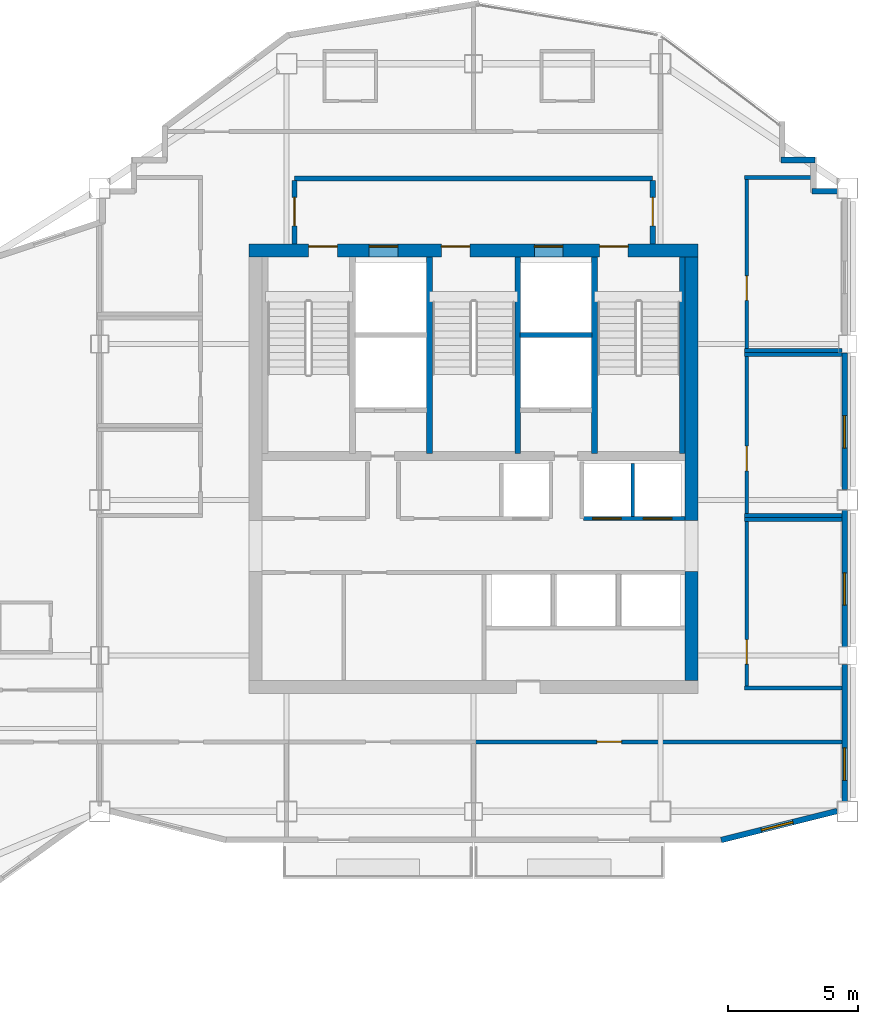
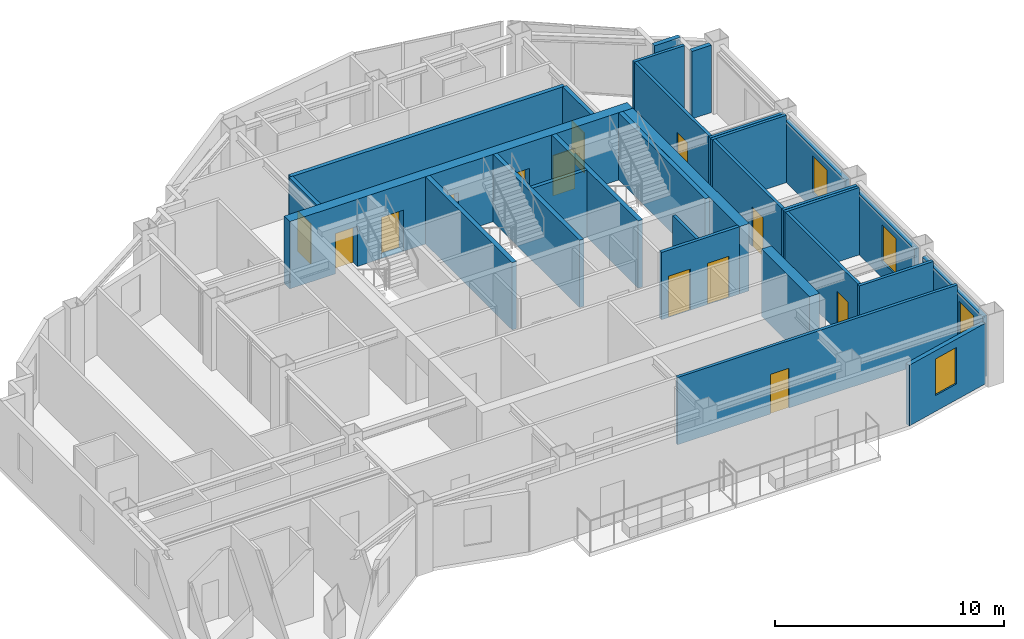
# One storey, part 7 of 9: 29 walls, 13 doors, 4 windows, 17 openings.
"""IFC4 building model written with IfcOpenShell, lengths in metres."""

from ifc_helpers import new_model, si_unit, direction, frame, frame_2d, origin, place, context, subcontext, project, spatial, rectangle, extrude, material, layer, layer_set, type_object, element, fill, save


model = new_model("IFC4")

# Units and contexts
model_context = context("Model", 3, precision=1e-05, world=origin(), true_north=direction((0.0, 1.0)))
body_context = subcontext(model_context, "Body", "Model", "MODEL_VIEW")
ifc_project = project(units=[si_unit("LENGTHUNIT", "METRE"), si_unit("AREAUNIT", "SQUARE_METRE"), si_unit("VOLUMEUNIT", "CUBIC_METRE"), si_unit("PLANEANGLEUNIT", "RADIAN"), si_unit("MASSUNIT", "GRAM", prefix="KILO")], contexts=[model_context])

# Site, building, storey
site_placement = place(None, origin())
site = spatial("IfcSite", under=ifc_project, at=site_placement, CompositionType="ELEMENT")
building_placement = place(site_placement, origin())
building = spatial("IfcBuilding", under=site, at=building_placement, Name="Haolan Belvedere Tower", CompositionType="ELEMENT")
storey_placement = place(building_placement, frame((0.0, 0.0, 273.699951171875)))
storey = spatial("IfcBuildingStorey", under=building, at=storey_placement, Name="L69", CompositionType="ELEMENT", Elevation=273.699951171875)

# Wall, openings, doors
ifc_material_1 = material(Name="Concrete C50/60", Category="concrete")
ifc_layer_1 = layer(ifc_material_1, 0.5, Name="Concrete C50/60")
ifc_layer_set_1 = layer_set([ifc_layer_1], Name="Concrete C50/60")
wall_type_1 = type_object("IfcWallType", Name="WL-CORE-500", PredefinedType="SHEAR", material=ifc_layer_set_1)
wall_1_placement = place(storey_placement, frame((29.75, 43.199951171875, 0.0), z_axis=(0.0, 0.0, 1.0), x_axis=(1.0, 0.0, 0.0)))
wall_1 = element("IfcWall", 1, at=wall_1_placement, inside=storey, type_object=wall_type_1, Name="L69 central core north shear wall", PredefinedType="SHEAR", context=body_context, shape_type="SweptSolid", body=[
    extrude(rectangle(XDim=17.300048828125, YDim=0.5, at=frame_2d((8.64990234375, 0.0))), origin(), (0.0, 0.0, 1.0), 3.590087890625),
])
opening_1_placement = place(wall_1_placement, frame((2.300048828125, 0.0, 0.0)))
opening_1 = element("IfcOpeningElement", 2, at=opening_1_placement, cuts=wall_1, Name="Opening FD-03", PredefinedType="OPENING", context=body_context, shape_type="SweptSolid", body=[
    extrude(rectangle(XDim=1.10009765625, YDim=2.14990234375, at=frame_2d((0.550048828125, 1.074951171875))), frame((0.0, 0.260009765625, 0.0), z_axis=(0.0, -1.0, 0.0), x_axis=(1.0, 0.0, 0.0)), (0.0, 0.0, 1.0), 0.52001953125),
])
opening_2_placement = place(wall_1_placement, frame((7.409912109375, 0.0, 0.0)))
opening_2 = element("IfcOpeningElement", 3, at=opening_2_placement, cuts=wall_1, Name="Opening FD-03", PredefinedType="OPENING", context=body_context, shape_type="SweptSolid", body=[
    extrude(rectangle(XDim=1.10009765625, YDim=2.14990234375, at=frame_2d((0.550048828125, 1.074951171875))), frame((0.0, 0.260009765625, 0.0), z_axis=(0.0, -1.0, 0.0), x_axis=(1.0, 0.0, 0.0)), (0.0, 0.0, 1.0), 0.52001953125),
])
opening_3_placement = place(wall_1_placement, frame((13.5, 0.0, 0.0)))
opening_3 = element("IfcOpeningElement", 4, at=opening_3_placement, cuts=wall_1, Name="Opening FD-03", PredefinedType="OPENING", context=body_context, shape_type="SweptSolid", body=[
    extrude(rectangle(XDim=1.10009765625, YDim=2.14990234375, at=frame_2d((0.550048828125, 1.074951171875))), frame((0.0, 0.260009765625, 0.0), z_axis=(0.0, -1.0, 0.0), x_axis=(1.0, 0.0, 0.0)), (0.0, 0.0, 1.0), 0.52001953125),
])
opening_4_placement = place(wall_1_placement, frame((4.6298828125, 0.0, 0.0)))
opening_4 = element("IfcOpeningElement", 5, at=opening_4_placement, cuts=wall_1, Name="Opening LD-01", PredefinedType="OPENING", context=body_context, shape_type="SweptSolid", body=[
    extrude(rectangle(XDim=1.10009765625, YDim=2.199951171875, at=frame_2d((0.550048828125, 1.10009765625))), frame((0.0, 0.260009765625, 0.0), z_axis=(0.0, -1.0, 0.0), x_axis=(1.0, 0.0, 0.0)), (0.0, 0.0, 1.0), 0.52001953125),
])
opening_5_placement = place(wall_1_placement, frame((10.989990234375, 0.0, 0.0)))
opening_5 = element("IfcOpeningElement", 6, at=opening_5_placement, cuts=wall_1, Name="Opening LD-01", PredefinedType="OPENING", context=body_context, shape_type="SweptSolid", body=[
    extrude(rectangle(XDim=1.10009765625, YDim=2.199951171875, at=frame_2d((0.550048828125, 1.10009765625))), frame((0.0, 0.260009765625, 0.0), z_axis=(0.0, -1.0, 0.0), x_axis=(1.0, 0.0, 0.0)), (0.0, 0.0, 1.0), 0.52001953125),
])
ifc_material_2 = material(Name="Galvanised fire-rated steel", Category="steel")
door_type_1 = type_object("IfcDoorType", Name="DR-FD90-1100", OperationType="NOTDEFINED", PredefinedType="DOOR", material=ifc_material_2)
door_1_placement = place(opening_1_placement, origin())
door_1 = element("IfcDoor", 7, at=door_1_placement, inside=storey, type_object=door_type_1, Name="L69 door CD-L69-ST1", OperationType="SINGLE_SWING_LEFT", OverallHeight=2.14990234375, OverallWidth=1.10009765625, PredefinedType="DOOR", context=body_context, shape_type="SweptSolid", body=[
    extrude(rectangle(XDim=1.10009765625, YDim=2.14990234375, at=frame_2d((0.550048828125, 1.074951171875))), frame((0.0, 0.18505859375, 0.0), z_axis=(0.0, -1.0, 0.0), x_axis=(1.0, 0.0, 0.0)), (0.0, 0.0, 1.0), 0.050048828125),
])
fill(opening_1, door_1)
door_2_placement = place(opening_2_placement, origin())
door_2 = element("IfcDoor", 8, at=door_2_placement, inside=storey, type_object=door_type_1, Name="L69 door CD-L69-ST3", OperationType="SINGLE_SWING_LEFT", OverallHeight=2.14990234375, OverallWidth=1.10009765625, PredefinedType="DOOR", context=body_context, shape_type="SweptSolid", body=[
    extrude(rectangle(XDim=1.10009765625, YDim=2.14990234375, at=frame_2d((0.550048828125, 1.074951171875))), frame((0.0, 0.18505859375, 0.0), z_axis=(0.0, -1.0, 0.0), x_axis=(1.0, 0.0, 0.0)), (0.0, 0.0, 1.0), 0.050048828125),
])
fill(opening_2, door_2)
door_3_placement = place(opening_3_placement, origin())
door_3 = element("IfcDoor", 9, at=door_3_placement, inside=storey, type_object=door_type_1, Name="L69 door CD-L69-ST2", OperationType="SINGLE_SWING_RIGHT", OverallHeight=2.14990234375, OverallWidth=1.10009765625, PredefinedType="DOOR", context=body_context, shape_type="SweptSolid", body=[
    extrude(rectangle(XDim=1.10009765625, YDim=2.14990234375, at=frame_2d((0.550048828125, 1.074951171875))), frame((0.0, 0.18505859375, 0.0), z_axis=(0.0, -1.0, 0.0), x_axis=(1.0, 0.0, 0.0)), (0.0, 0.0, 1.0), 0.050048828125),
])
fill(opening_3, door_3)
ifc_material_3 = material(Name="Brushed champagne stainless steel 316L", Category="steel")
door_type_2 = type_object("IfcDoorType", Name="DR-LIFT-1100", OperationType="SLIDING_TO_LEFT", PredefinedType="DOOR", material=ifc_material_3)
door_4_placement = place(opening_4_placement, origin())
door_4 = element("IfcDoor", 10, at=door_4_placement, inside=storey, type_object=door_type_2, Name="L69 door LD-L69-FF1", OperationType="SLIDING_TO_LEFT", OverallHeight=2.199951171875, OverallWidth=1.10009765625, PredefinedType="DOOR", context=body_context, shape_type="SweptSolid", body=[
    extrude(rectangle(XDim=1.10009765625, YDim=2.199951171875, at=frame_2d((0.550048828125, 1.10009765625))), frame((0.0, 0.18505859375, 0.0), z_axis=(0.0, -1.0, 0.0), x_axis=(1.0, 0.0, 0.0)), (0.0, 0.0, 1.0), 0.050048828125),
])
fill(opening_4, door_4)
door_5_placement = place(opening_5_placement, origin())
door_5 = element("IfcDoor", 11, at=door_5_placement, inside=storey, type_object=door_type_2, Name="L69 door LD-L69-FF2", OperationType="SLIDING_TO_LEFT", OverallHeight=2.199951171875, OverallWidth=1.10009765625, PredefinedType="DOOR", context=body_context, shape_type="SweptSolid", body=[
    extrude(rectangle(XDim=1.10009765625, YDim=2.199951171875, at=frame_2d((0.550048828125, 1.10009765625))), frame((0.0, 0.18505859375, 0.0), z_axis=(0.0, -1.0, 0.0), x_axis=(1.0, 0.0, 0.0)), (0.0, 0.0, 1.0), 0.050048828125),
])
fill(opening_5, door_5)

# Walls
wall_2_placement = place(storey_placement, frame((46.800048828125, 26.64990234375, 0.0), z_axis=(0.0, 0.0, 1.0), x_axis=(0.0, 1.0, 0.0)))
element("IfcWall", 12, at=wall_2_placement, inside=storey, type_object=wall_type_1, Name="L69 central core shear wall ES", PredefinedType="SHEAR", context=body_context, shape_type="SweptSolid", body=[
    extrude(rectangle(XDim=4.2001953125, YDim=0.5, at=frame_2d((2.10009765625, 0.0))), origin(), (0.0, 0.0, 1.0), 3.590087890625),
])
wall_3_placement = place(storey_placement, frame((46.800048828125, 32.800048828125, 0.0), z_axis=(0.0, 0.0, 1.0), x_axis=(0.0, 1.0, 0.0)))
element("IfcWall", 13, at=wall_3_placement, inside=storey, type_object=wall_type_1, Name="L69 central core shear wall EN", PredefinedType="SHEAR", context=body_context, shape_type="SweptSolid", body=[
    extrude(rectangle(XDim=10.14990234375, YDim=0.5, at=frame_2d((5.074951171875, 0.0))), origin(), (0.0, 0.0, 1.0), 3.590087890625),
])

# Wall, opening, window
ifc_material_4 = material(Name="Precast concrete C40/50", Category="concrete")
ifc_layer_2 = layer(ifc_material_4, 0.219970703125, Name="Precast concrete C40/50")
ifc_layer_set_2 = layer_set([ifc_layer_2], Name="Precast concrete C40/50")
wall_type_2 = type_object("IfcWallType", Name="WL-EXT-220", PredefinedType="SOLIDWALL", material=ifc_layer_set_2)
wall_4_placement = place(storey_placement, frame((47.93310546875, 20.49658203125, 0.0), z_axis=(0.0, 0.0, 1.0), x_axis=(0.970133159038, 0.242572986408, 0.0)))
wall_4 = element("IfcWall", 14, at=wall_4_placement, inside=storey, type_object=wall_type_2, Name="L69 pale-metal exterior spandrel wall 2.1", PredefinedType="SOLIDWALL", context=body_context, shape_type="SweptSolid", body=[
    extrude(rectangle(XDim=4.612548828125, YDim=0.219970703125, at=frame_2d((2.30615234375, 0.0))), origin(), (0.0, 0.0, 1.0), 3.235107421875),
])
opening_6_placement = place(wall_4_placement, frame((1.60009765625, 0.0, 0.85009765625)))
opening_6 = element("IfcOpeningElement", 15, at=opening_6_placement, cuts=wall_4, Name="Opening W-04", PredefinedType="OPENING", context=body_context, shape_type="SweptSolid", body=[
    extrude(rectangle(XDim=1.25, YDim=1.949951171875, at=frame_2d((0.625, 0.97509765625))), frame((0.0, 0.119873046875, 0.0), z_axis=(0.0, -1.0, 0.0), x_axis=(1.0, 0.0, 0.0)), (0.0, 0.0, 1.0), 0.239990234375),
])
ifc_material_5 = material(Name="Anodised aluminium 6063-T6 and Low-E glass", Category="aluminium")
window_type = type_object("IfcWindowType", Name="WN-DECO-Z4", PartitioningType="SINGLE_PANEL", PredefinedType="WINDOW", material=ifc_material_5)
window_1_placement = place(opening_6_placement, origin())
window_1 = element("IfcWindow", 16, at=window_1_placement, inside=storey, type_object=window_type, Name="L69 Art Deco chevron window 1", OverallHeight=1.949951171875, OverallWidth=1.25, PartitioningType="SINGLE_PANEL", PredefinedType="WINDOW", context=body_context, shape_type="SweptSolid", body=[
    extrude(rectangle(XDim=1.25, YDim=1.949951171875, at=frame_2d((0.625, 0.97509765625))), frame((0.0, 0.030029296875, 0.0), z_axis=(0.0, -1.0, 0.0), x_axis=(1.0, 0.0, 0.0)), (0.0, 0.0, 1.0), 0.06005859375),
])
fill(opening_6, window_1)

wall_5_placement = place(storey_placement, frame((52.68994140625, 21.991943359375, 0.0), z_axis=(0.0, 0.0, 1.0), x_axis=(0.0, 1.0, 0.0)))
wall_5 = element("IfcWall", 17, at=wall_5_placement, inside=storey, type_object=wall_type_2, Name="L69 pale-metal exterior spandrel wall 3.1", PredefinedType="SOLIDWALL", context=body_context, shape_type="SweptSolid", body=[
    extrude(rectangle(XDim=5.26611328125, YDim=0.219970703125, at=frame_2d((2.633056640625, 0.0))), origin(), (0.0, 0.0, 1.0), 3.235107421875),
])
opening_7_placement = place(wall_5_placement, frame((0.802978515625, 0.0, 0.85009765625)))
opening_7 = element("IfcOpeningElement", 18, at=opening_7_placement, cuts=wall_5, Name="Opening W-04", PredefinedType="OPENING", context=body_context, shape_type="SweptSolid", body=[
    extrude(rectangle(XDim=1.25, YDim=1.949951171875, at=frame_2d((0.625, 0.97509765625))), frame((0.0, 0.119873046875, 0.0), z_axis=(0.0, -1.0, 0.0), x_axis=(1.0, 0.0, 0.0)), (0.0, 0.0, 1.0), 0.239990234375),
])
window_2_placement = place(opening_7_placement, origin())
window_2 = element("IfcWindow", 19, at=window_2_placement, inside=storey, type_object=window_type, Name="L69 Art Deco chevron window 1", OverallHeight=1.949951171875, OverallWidth=1.25, PartitioningType="SINGLE_PANEL", PredefinedType="WINDOW", context=body_context, shape_type="SweptSolid", body=[
    extrude(rectangle(XDim=1.25, YDim=1.949951171875, at=frame_2d((0.625, 0.97509765625))), frame((0.0, 0.030029296875, 0.0), z_axis=(0.0, -1.0, 0.0), x_axis=(1.0, 0.0, 0.0)), (0.0, 0.0, 1.0), 0.06005859375),
])
fill(opening_7, window_2)

wall_6_placement = place(storey_placement, frame((52.68994140625, 27.94189453125, 0.0), z_axis=(0.0, 0.0, 1.0), x_axis=(0.0, 1.0, 0.0)))
wall_6 = element("IfcWall", 20, at=wall_6_placement, inside=storey, type_object=wall_type_2, Name="L69 pale-metal exterior spandrel wall 3.2", PredefinedType="SOLIDWALL", context=body_context, shape_type="SweptSolid", body=[
    extrude(rectangle(XDim=5.26611328125, YDim=0.219970703125, at=frame_2d((2.633056640625, 0.0))), origin(), (0.0, 0.0, 1.0), 3.235107421875),
])
opening_8_placement = place(wall_6_placement, frame((1.60009765625, 0.0, 0.85009765625)))
opening_8 = element("IfcOpeningElement", 21, at=opening_8_placement, cuts=wall_6, Name="Opening W-04", PredefinedType="OPENING", context=body_context, shape_type="SweptSolid", body=[
    extrude(rectangle(XDim=1.25, YDim=1.949951171875, at=frame_2d((0.625, 0.97509765625))), frame((0.0, 0.119873046875, 0.0), z_axis=(0.0, -1.0, 0.0), x_axis=(1.0, 0.0, 0.0)), (0.0, 0.0, 1.0), 0.239990234375),
])
window_3_placement = place(opening_8_placement, origin())
window_3 = element("IfcWindow", 22, at=window_3_placement, inside=storey, type_object=window_type, Name="L69 Art Deco chevron window 1", OverallHeight=1.949951171875, OverallWidth=1.25, PartitioningType="SINGLE_PANEL", PredefinedType="WINDOW", context=body_context, shape_type="SweptSolid", body=[
    extrude(rectangle(XDim=1.25, YDim=1.949951171875, at=frame_2d((0.625, 0.97509765625))), frame((0.0, 0.030029296875, 0.0), z_axis=(0.0, -1.0, 0.0), x_axis=(1.0, 0.0, 0.0)), (0.0, 0.0, 1.0), 0.06005859375),
])
fill(opening_8, window_3)

wall_7_placement = place(storey_placement, frame((52.68994140625, 33.991943359375, 0.0), z_axis=(0.0, 0.0, 1.0), x_axis=(0.0, 1.0, 0.0)))
wall_7 = element("IfcWall", 23, at=wall_7_placement, inside=storey, type_object=wall_type_2, Name="L69 pale-metal exterior spandrel wall 3.3", PredefinedType="SOLIDWALL", context=body_context, shape_type="SweptSolid", body=[
    extrude(rectangle(XDim=5.26611328125, YDim=0.219970703125, at=frame_2d((2.633056640625, 0.0))), origin(), (0.0, 0.0, 1.0), 3.235107421875),
])
opening_9_placement = place(wall_7_placement, frame((1.60009765625, 0.0, 0.85009765625)))
opening_9 = element("IfcOpeningElement", 24, at=opening_9_placement, cuts=wall_7, Name="Opening W-04", PredefinedType="OPENING", context=body_context, shape_type="SweptSolid", body=[
    extrude(rectangle(XDim=1.25, YDim=1.949951171875, at=frame_2d((0.625, 0.97509765625))), frame((0.0, 0.119873046875, 0.0), z_axis=(0.0, -1.0, 0.0), x_axis=(1.0, 0.0, 0.0)), (0.0, 0.0, 1.0), 0.239990234375),
])
window_4_placement = place(opening_9_placement, origin())
window_4 = element("IfcWindow", 25, at=window_4_placement, inside=storey, type_object=window_type, Name="L69 Art Deco chevron window 1", OverallHeight=1.949951171875, OverallWidth=1.25, PartitioningType="SINGLE_PANEL", PredefinedType="WINDOW", context=body_context, shape_type="SweptSolid", body=[
    extrude(rectangle(XDim=1.25, YDim=1.949951171875, at=frame_2d((0.625, 0.97509765625))), frame((0.0, 0.030029296875, 0.0), z_axis=(0.0, -1.0, 0.0), x_axis=(1.0, 0.0, 0.0)), (0.0, 0.0, 1.0), 0.06005859375),
])
fill(opening_9, window_4)

# Walls
wall_8_placement = place(storey_placement, frame((52.407958984375, 45.489990234375, 0.0), z_axis=(0.0, 0.0, 1.0), x_axis=(-1.0, 0.0, 0.0)))
element("IfcWall", 26, at=wall_8_placement, inside=storey, type_object=wall_type_2, Name="L69 pale-metal exterior spandrel wall 4.1", PredefinedType="SOLIDWALL", context=body_context, shape_type="SweptSolid", body=[
    extrude(rectangle(XDim=0.972900390625, YDim=0.219970703125, at=frame_2d((0.486328125, 0.0))), origin(), (0.0, 0.0, 1.0), 3.590087890625),
])
wall_9_placement = place(storey_placement, frame((51.544921875, 46.68994140625, 0.0), z_axis=(0.0, 0.0, 1.0), x_axis=(-1.0, 0.0, 0.0)))
element("IfcWall", 27, at=wall_9_placement, inside=storey, type_object=wall_type_2, Name="L69 pale-metal exterior spandrel wall 6.1", PredefinedType="SOLIDWALL", context=body_context, shape_type="SweptSolid", body=[
    extrude(rectangle(XDim=1.309814453125, YDim=0.219970703125, at=frame_2d((0.65478515625, 0.0))), origin(), (0.0, 0.0, 1.0), 3.590087890625),
])
ifc_material_6 = material(Name="Concrete C40/50", Category="concrete")
ifc_layer_3 = layer(ifc_material_6, 0.199951171875, Name="Concrete C40/50")
ifc_layer_set_3 = layer_set([ifc_layer_3], Name="Concrete C40/50")
wall_type_3 = type_object("IfcWallType", Name="WL-FIRE-200", PredefinedType="SOLIDWALL", material=ifc_layer_set_3)
wall_10_placement = place(storey_placement, frame((31.5, 45.97998046875, 0.0), z_axis=(0.0, 0.0, 1.0), x_axis=(1.0, 0.0, 0.0)))
element("IfcWall", 28, at=wall_10_placement, inside=storey, type_object=wall_type_3, Name="L69 interior partition IW-L69-FFL-N", PredefinedType="SOLIDWALL", context=body_context, shape_type="SweptSolid", body=[
    extrude(rectangle(XDim=13.800048828125, YDim=0.199951171875, at=frame_2d((6.89990234375, 0.0))), origin(), (0.0, 0.0, 1.0), 3.590087890625),
])

# Wall, opening, door
wall_11_placement = place(storey_placement, frame((31.5, 43.449951171875, 0.0), z_axis=(0.0, 0.0, 1.0), x_axis=(0.0, 1.0, 0.0)))
wall_11 = element("IfcWall", 29, at=wall_11_placement, inside=storey, type_object=wall_type_3, Name="L69 interior partition IW-L69-FFL-W", PredefinedType="SOLIDWALL", context=body_context, shape_type="SweptSolid", body=[
    extrude(rectangle(XDim=2.445068359375, YDim=0.199951171875, at=frame_2d((1.22265625, 0.0))), origin(), (0.0, 0.0, 1.0), 3.590087890625),
])
opening_10_placement = place(wall_11_placement, frame((1.800048828125, 0.0, 0.0), z_axis=(0.0, 0.0, 1.0), x_axis=(-1.0, 0.0, 0.0)))
opening_10 = element("IfcOpeningElement", 30, at=opening_10_placement, cuts=wall_11, Name="Opening FD-03", PredefinedType="OPENING", context=body_context, shape_type="SweptSolid", body=[
    extrude(rectangle(XDim=1.10009765625, YDim=2.14990234375, at=frame_2d((0.550048828125, 1.074951171875))), frame((0.0, 0.10986328125, 0.0), z_axis=(0.0, -1.0, 0.0), x_axis=(1.0, 0.0, 0.0)), (0.0, 0.0, 1.0), 0.219970703125),
])
door_6_placement = place(opening_10_placement, origin())
door_6 = element("IfcDoor", 31, at=door_6_placement, inside=storey, type_object=door_type_1, Name="L69 door ID-L69-FFL-DW", OperationType="SINGLE_SWING_LEFT", OverallHeight=2.14990234375, OverallWidth=1.10009765625, PredefinedType="DOOR", context=body_context, shape_type="SweptSolid", body=[
    extrude(rectangle(XDim=1.10009765625, YDim=2.14990234375, at=frame_2d((0.550048828125, 1.074951171875))), frame((0.0, 0.02490234375, 0.0), z_axis=(0.0, -1.0, 0.0), x_axis=(1.0, 0.0, 0.0)), (0.0, 0.0, 1.0), 0.050048828125),
])
fill(opening_10, door_6)

wall_12_placement = place(storey_placement, frame((45.300048828125, 43.449951171875, 0.0), z_axis=(0.0, 0.0, 1.0), x_axis=(0.0, 1.0, 0.0)))
wall_12 = element("IfcWall", 32, at=wall_12_placement, inside=storey, type_object=wall_type_3, Name="L69 interior partition IW-L69-FFL-E", PredefinedType="SOLIDWALL", context=body_context, shape_type="SweptSolid", body=[
    extrude(rectangle(XDim=2.445068359375, YDim=0.199951171875, at=frame_2d((1.22265625, 0.0))), origin(), (0.0, 0.0, 1.0), 3.590087890625),
])
opening_11_placement = place(wall_12_placement, frame((0.699951171875, 0.0, 0.0)))
opening_11 = element("IfcOpeningElement", 33, at=opening_11_placement, cuts=wall_12, Name="Opening FD-03", PredefinedType="OPENING", context=body_context, shape_type="SweptSolid", body=[
    extrude(rectangle(XDim=1.10009765625, YDim=2.14990234375, at=frame_2d((0.550048828125, 1.074951171875))), frame((0.0, 0.10986328125, 0.0), z_axis=(0.0, -1.0, 0.0), x_axis=(1.0, 0.0, 0.0)), (0.0, 0.0, 1.0), 0.219970703125),
])
door_7_placement = place(opening_11_placement, origin())
door_7 = element("IfcDoor", 34, at=door_7_placement, inside=storey, type_object=door_type_1, Name="L69 door ID-L69-FFL-DE", OperationType="SINGLE_SWING_RIGHT", OverallHeight=2.14990234375, OverallWidth=1.10009765625, PredefinedType="DOOR", context=body_context, shape_type="SweptSolid", body=[
    extrude(rectangle(XDim=1.10009765625, YDim=2.14990234375, at=frame_2d((0.550048828125, 1.074951171875))), frame((0.0, 0.02490234375, 0.0), z_axis=(0.0, -1.0, 0.0), x_axis=(1.0, 0.0, 0.0)), (0.0, 0.0, 1.0), 0.050048828125),
])
fill(opening_11, door_7)

# Walls
ifc_material_7 = material(Name="Double gypsum acoustic stud partition", Category="masonry")
ifc_layer_4 = layer(ifc_material_7, 0.14990234375, Name="Double gypsum acoustic stud partition")
ifc_layer_set_4 = layer_set([ifc_layer_4], Name="Double gypsum acoustic stud partition")
wall_type_4 = type_object("IfcWallType", Name="WL-PART-150", PredefinedType="PARTITIONING", material=ifc_layer_set_4)
for number, where, z_axis, x_axis, name in (
    (35, (48.840087890625, 39.199951171875, 0.0), (0.0, 0.0, 1.0), (1.0, 0.0, 0.0), "L69 interior partition IW-L69-HSK-N"),
    (36, (48.840087890625, 33.0, 0.0), (0.0, 0.0, 1.0), (1.0, 0.0, 0.0), "L69 interior partition IW-L69-HSK-S"),
):
    element("IfcWall", number, at=place(storey_placement, frame(where, z_axis=z_axis, x_axis=x_axis)), inside=storey, type_object=wall_type_4, Name=name, PredefinedType="PARTITIONING", context=body_context, shape_type="SweptSolid", body=[
        extrude(rectangle(XDim=3.747802734375, YDim=0.14990234375, at=frame_2d((1.8740234375, 0.0))), origin(), (0.0, 0.0, 1.0), 3.590087890625),
    ])

# Wall, opening, door
wall_13_placement = place(storey_placement, frame((48.919921875, 33.06005859375, 0.0), z_axis=(0.0, 0.0, 1.0), x_axis=(0.0, 1.0, 0.0)))
wall_13 = element("IfcWall", 37, at=wall_13_placement, inside=storey, type_object=wall_type_4, Name="L69 interior partition IW-L69-HSK-W", PredefinedType="PARTITIONING", context=body_context, shape_type="SweptSolid", body=[
    extrude(rectangle(XDim=6.079833984375, YDim=0.14990234375, at=frame_2d((3.0400390625, 0.0))), origin(), (0.0, 0.0, 1.0), 3.590087890625),
])
opening_12_placement = place(wall_13_placement, frame((1.659912109375, 0.0, 0.0)))
opening_12 = element("IfcOpeningElement", 38, at=opening_12_placement, cuts=wall_13, Name="Opening ID-03", PredefinedType="OPENING", context=body_context, shape_type="SweptSolid", body=[
    extrude(rectangle(XDim=0.949951171875, YDim=2.1201171875, at=frame_2d((0.47509765625, 1.06005859375))), frame((0.0, 0.0849609375, 0.0), z_axis=(0.0, -1.0, 0.0), x_axis=(1.0, 0.0, 0.0)), (0.0, 0.0, 1.0), 0.169921875),
])
ifc_material_8 = material(Name="Painted solid-core timber", Category="wood")
door_type_3 = type_object("IfcDoorType", Name="DR-INT-950", OperationType="NOTDEFINED", PredefinedType="DOOR", material=ifc_material_8)
door_8_placement = place(opening_12_placement, origin())
door_8 = element("IfcDoor", 39, at=door_8_placement, inside=storey, type_object=door_type_3, Name="L69 door ID-L69-HSK", OperationType="SINGLE_SWING_RIGHT", OverallHeight=2.1201171875, OverallWidth=0.949951171875, PredefinedType="DOOR", context=body_context, shape_type="SweptSolid", body=[
    extrude(rectangle(XDim=0.949951171875, YDim=2.1201171875, at=frame_2d((0.47509765625, 1.06005859375))), frame((0.0, 0.02490234375, 0.0), z_axis=(0.0, -1.0, 0.0), x_axis=(1.0, 0.0, 0.0)), (0.0, 0.0, 1.0), 0.050048828125),
])
fill(opening_12, door_8)

# Walls
wall_14_placement = place(storey_placement, frame((48.840087890625, 46.02001953125, 0.0), z_axis=(0.0, 0.0, 1.0), x_axis=(1.0, 0.0, 0.0)))
element("IfcWall", 40, at=wall_14_placement, inside=storey, type_object=wall_type_4, Name="L69 interior partition IW-L69-MTG-N", PredefinedType="PARTITIONING", context=body_context, shape_type="SweptSolid", body=[
    extrude(rectangle(XDim=2.5478515625, YDim=0.14990234375, at=frame_2d((1.27392578125, 0.0))), origin(), (0.0, 0.0, 1.0), 3.590087890625),
])
wall_15_placement = place(storey_placement, frame((48.840087890625, 39.360107421875, 0.0), z_axis=(0.0, 0.0, 1.0), x_axis=(1.0, 0.0, 0.0)))
element("IfcWall", 41, at=wall_15_placement, inside=storey, type_object=wall_type_4, Name="L69 interior partition IW-L69-MTG-S", PredefinedType="PARTITIONING", context=body_context, shape_type="SweptSolid", body=[
    extrude(rectangle(XDim=3.747802734375, YDim=0.14990234375, at=frame_2d((1.8740234375, 0.0))), origin(), (0.0, 0.0, 1.0), 3.590087890625),
])

# Wall, opening, door
wall_16_placement = place(storey_placement, frame((48.919921875, 39.419921875, 0.0), z_axis=(0.0, 0.0, 1.0), x_axis=(0.0, 1.0, 0.0)))
wall_16 = element("IfcWall", 42, at=wall_16_placement, inside=storey, type_object=wall_type_4, Name="L69 interior partition IW-L69-MTG-W", PredefinedType="PARTITIONING", context=body_context, shape_type="SweptSolid", body=[
    extrude(rectangle(XDim=6.5400390625, YDim=0.14990234375, at=frame_2d((3.27001953125, 0.0))), origin(), (0.0, 0.0, 1.0), 3.590087890625),
])
opening_13_placement = place(wall_16_placement, frame((1.860107421875, 0.0, 0.0)))
opening_13 = element("IfcOpeningElement", 43, at=opening_13_placement, cuts=wall_16, Name="Opening ID-03", PredefinedType="OPENING", context=body_context, shape_type="SweptSolid", body=[
    extrude(rectangle(XDim=0.949951171875, YDim=2.1201171875, at=frame_2d((0.47509765625, 1.06005859375))), frame((0.0, 0.0849609375, 0.0), z_axis=(0.0, -1.0, 0.0), x_axis=(1.0, 0.0, 0.0)), (0.0, 0.0, 1.0), 0.169921875),
])
door_9_placement = place(opening_13_placement, origin())
door_9 = element("IfcDoor", 44, at=door_9_placement, inside=storey, type_object=door_type_3, Name="L69 door ID-L69-MTG", OperationType="SINGLE_SWING_LEFT", OverallHeight=2.1201171875, OverallWidth=0.949951171875, PredefinedType="DOOR", context=body_context, shape_type="SweptSolid", body=[
    extrude(rectangle(XDim=0.949951171875, YDim=2.1201171875, at=frame_2d((0.47509765625, 1.06005859375))), frame((0.0, 0.02490234375, 0.0), z_axis=(0.0, -1.0, 0.0), x_axis=(1.0, 0.0, 0.0)), (0.0, 0.0, 1.0), 0.050048828125),
])
fill(opening_13, door_9)

# Walls
for number, where, z_axis, x_axis, name in (
    (45, (48.840087890625, 32.840087890625, 0.0), (0.0, 0.0, 1.0), (1.0, 0.0, 0.0), "L69 interior partition IW-L69-PKTE-N"),
    (46, (48.840087890625, 26.35009765625, 0.0), (0.0, 0.0, 1.0), (1.0, 0.0, 0.0), "L69 interior partition IW-L69-PKTE-S"),
):
    element("IfcWall", number, at=place(storey_placement, frame(where, z_axis=z_axis, x_axis=x_axis)), inside=storey, type_object=wall_type_4, Name=name, PredefinedType="PARTITIONING", context=body_context, shape_type="SweptSolid", body=[
        extrude(rectangle(XDim=3.747802734375, YDim=0.14990234375, at=frame_2d((1.8740234375, 0.0))), origin(), (0.0, 0.0, 1.0), 3.590087890625),
    ])

# Wall, opening, door
wall_17_placement = place(storey_placement, frame((48.919921875, 26.409912109375, 0.0), z_axis=(0.0, 0.0, 1.0), x_axis=(0.0, 1.0, 0.0)))
wall_17 = element("IfcWall", 47, at=wall_17_placement, inside=storey, type_object=wall_type_4, Name="L69 interior partition IW-L69-PKTE-W", PredefinedType="PARTITIONING", context=body_context, shape_type="SweptSolid", body=[
    extrude(rectangle(XDim=6.3701171875, YDim=0.14990234375, at=frame_2d((3.18505859375, 0.0))), origin(), (0.0, 0.0, 1.0), 3.590087890625),
])
opening_14_placement = place(wall_17_placement, frame((0.860107421875, 0.0, 0.0)))
opening_14 = element("IfcOpeningElement", 48, at=opening_14_placement, cuts=wall_17, Name="Opening ID-03", PredefinedType="OPENING", context=body_context, shape_type="SweptSolid", body=[
    extrude(rectangle(XDim=0.949951171875, YDim=2.1201171875, at=frame_2d((0.47509765625, 1.06005859375))), frame((0.0, 0.0849609375, 0.0), z_axis=(0.0, -1.0, 0.0), x_axis=(1.0, 0.0, 0.0)), (0.0, 0.0, 1.0), 0.169921875),
])
door_10_placement = place(opening_14_placement, origin())
door_10 = element("IfcDoor", 49, at=door_10_placement, inside=storey, type_object=door_type_3, Name="L69 door ID-L69-PKTE", OperationType="SINGLE_SWING_RIGHT", OverallHeight=2.1201171875, OverallWidth=0.949951171875, PredefinedType="DOOR", context=body_context, shape_type="SweptSolid", body=[
    extrude(rectangle(XDim=0.949951171875, YDim=2.1201171875, at=frame_2d((0.47509765625, 1.06005859375))), frame((0.0, 0.02490234375, 0.0), z_axis=(0.0, -1.0, 0.0), x_axis=(1.0, 0.0, 0.0)), (0.0, 0.0, 1.0), 0.050048828125),
])
fill(opening_14, door_10)

wall_18_placement = place(storey_placement, frame((38.48193359375, 24.280029296875, 0.0), z_axis=(0.0, 0.0, 1.0), x_axis=(1.0, 0.0, 0.0)))
wall_18 = element("IfcWall", 50, at=wall_18_placement, inside=storey, type_object=wall_type_4, Name="L69 interior partition IW-L69-KS3-N", PredefinedType="PARTITIONING", context=body_context, shape_type="SweptSolid", body=[
    extrude(rectangle(XDim=14.10595703125, YDim=0.14990234375, at=frame_2d((7.052978515625, 0.0))), origin(), (0.0, 0.0, 1.0), 3.590087890625),
])
opening_15_placement = place(wall_18_placement, frame((5.617919921875, 0.0, 0.0), z_axis=(0.0, 0.0, 1.0), x_axis=(-1.0, 0.0, 0.0)))
opening_15 = element("IfcOpeningElement", 51, at=opening_15_placement, cuts=wall_18, Name="Opening ID-03", PredefinedType="OPENING", context=body_context, shape_type="SweptSolid", body=[
    extrude(rectangle(XDim=0.949951171875, YDim=2.1201171875, at=frame_2d((0.47509765625, 1.06005859375))), frame((0.0, 0.0849609375, 0.0), z_axis=(0.0, -1.0, 0.0), x_axis=(1.0, 0.0, 0.0)), (0.0, 0.0, 1.0), 0.169921875),
])
door_11_placement = place(opening_15_placement, origin())
door_11 = element("IfcDoor", 52, at=door_11_placement, inside=storey, type_object=door_type_3, Name="L69 door ID-L69-KS3", OperationType="SINGLE_SWING_LEFT", OverallHeight=2.1201171875, OverallWidth=0.949951171875, PredefinedType="DOOR", context=body_context, shape_type="SweptSolid", body=[
    extrude(rectangle(XDim=0.949951171875, YDim=2.1201171875, at=frame_2d((0.47509765625, 1.06005859375))), frame((0.0, 0.02490234375, 0.0), z_axis=(0.0, -1.0, 0.0), x_axis=(1.0, 0.0, 0.0)), (0.0, 0.0, 1.0), 0.050048828125),
])
fill(opening_15, door_11)

# Wall, openings, doors
ifc_material_9 = material(Name="Gypsum fire shaftwall assembly", Category="masonry")
ifc_layer_5 = layer(ifc_material_9, 0.1650390625, Name="Gypsum fire shaftwall assembly")
ifc_layer_set_5 = layer_set([ifc_layer_5], Name="Gypsum fire shaftwall assembly")
wall_type_5 = type_object("IfcWallType", Name="WL-SHAFT-160", PredefinedType="SOLIDWALL", material=ifc_layer_set_5)
wall_19_placement = place(storey_placement, frame((42.6298828125, 32.8798828125, 0.0), z_axis=(0.0, 0.0, 1.0), x_axis=(1.0, 0.0, 0.0)))
wall_19 = element("IfcWall", 53, at=wall_19_placement, inside=storey, type_object=wall_type_5, Name="L69 interior partition IW-L69-ROW-PN3", PredefinedType="SOLIDWALL", context=body_context, shape_type="SweptSolid", body=[
    extrude(rectangle(XDim=3.920166015625, YDim=0.159912109375, at=frame_2d((1.9599609375, 0.0))), origin(), (0.0, 0.0, 1.0), 3.590087890625),
])
opening_16_placement = place(wall_19_placement, frame((1.4501953125, 0.0, 0.0), z_axis=(0.0, 0.0, 1.0), x_axis=(-1.0, 0.0, 0.0)))
opening_16 = element("IfcOpeningElement", 54, at=opening_16_placement, cuts=wall_19, Name="Opening LD-01", PredefinedType="OPENING", context=body_context, shape_type="SweptSolid", body=[
    extrude(rectangle(XDim=1.10009765625, YDim=2.199951171875, at=frame_2d((0.550048828125, 1.10009765625))), frame((0.0, 0.08984375, 0.0), z_axis=(0.0, -1.0, 0.0), x_axis=(1.0, 0.0, 0.0)), (0.0, 0.0, 1.0), 0.179931640625),
])
opening_17_placement = place(wall_19_placement, frame((3.41015625, 0.0, 0.0), z_axis=(0.0, 0.0, 1.0), x_axis=(-1.0, 0.0, 0.0)))
opening_17 = element("IfcOpeningElement", 55, at=opening_17_placement, cuts=wall_19, Name="Opening LD-01", PredefinedType="OPENING", context=body_context, shape_type="SweptSolid", body=[
    extrude(rectangle(XDim=1.10009765625, YDim=2.199951171875, at=frame_2d((0.550048828125, 1.10009765625))), frame((0.0, 0.08984375, 0.0), z_axis=(0.0, -1.0, 0.0), x_axis=(1.0, 0.0, 0.0)), (0.0, 0.0, 1.0), 0.179931640625),
])
door_12_placement = place(opening_16_placement, origin())
door_12 = element("IfcDoor", 56, at=door_12_placement, inside=storey, type_object=door_type_2, Name="L69 door ID-L69-LD-PH2", OperationType="SLIDING_TO_RIGHT", OverallHeight=2.199951171875, OverallWidth=1.10009765625, PredefinedType="DOOR", context=body_context, shape_type="SweptSolid", body=[
    extrude(rectangle(XDim=1.10009765625, YDim=2.199951171875, at=frame_2d((0.550048828125, 1.10009765625))), frame((0.0, 0.02490234375, 0.0), z_axis=(0.0, -1.0, 0.0), x_axis=(1.0, 0.0, 0.0)), (0.0, 0.0, 1.0), 0.050048828125),
])
fill(opening_16, door_12)
door_13_placement = place(opening_17_placement, origin())
door_13 = element("IfcDoor", 57, at=door_13_placement, inside=storey, type_object=door_type_2, Name="L69 door ID-L69-LD-PH3", OperationType="SLIDING_TO_RIGHT", OverallHeight=2.199951171875, OverallWidth=1.10009765625, PredefinedType="DOOR", context=body_context, shape_type="SweptSolid", body=[
    extrude(rectangle(XDim=1.10009765625, YDim=2.199951171875, at=frame_2d((0.550048828125, 1.10009765625))), frame((0.0, 0.02490234375, 0.0), z_axis=(0.0, -1.0, 0.0), x_axis=(1.0, 0.0, 0.0)), (0.0, 0.0, 1.0), 0.050048828125),
])
fill(opening_17, door_13)

# Walls
wall_20_placement = place(storey_placement, frame((44.530029296875, 32.949951171875, 0.0), z_axis=(0.0, 0.0, 1.0), x_axis=(0.0, 1.0, 0.0)))
element("IfcWall", 58, at=wall_20_placement, inside=storey, type_object=wall_type_5, Name="L69 interior partition IW-L69-DIV-PH2", PredefinedType="SOLIDWALL", context=body_context, shape_type="SweptSolid", body=[
    extrude(rectangle(XDim=2.050048828125, YDim=0.14990234375, at=frame_2d((1.02490234375, 0.0))), origin(), (0.0, 0.0, 1.0), 3.590087890625),
])
ifc_layer_6 = layer(ifc_material_4, 0.179931640625, Name="Precast concrete C40/50")
ifc_layer_set_6 = layer_set([ifc_layer_6], Name="Precast concrete C40/50")
wall_type_6 = type_object("IfcWallType", Name="WL-SHAFT-180", PredefinedType="SOLIDWALL", material=ifc_layer_set_6)
wall_21_placement = place(storey_placement, frame((40.195068359375, 39.949951171875, 0.0), z_axis=(0.0, 0.0, 1.0), x_axis=(1.0, 0.0, 0.0)))
element("IfcWall", 59, at=wall_21_placement, inside=storey, type_object=wall_type_6, Name="L69 interior partition IW-L69-FF2-S", PredefinedType="SOLIDWALL", context=body_context, shape_type="SweptSolid", body=[
    extrude(rectangle(XDim=2.77001953125, YDim=0.179931640625, at=frame_2d((1.385009765625, 0.0))), origin(), (0.0, 0.0, 1.0), 3.590087890625),
])
ifc_layer_7 = layer(ifc_material_1, 0.219970703125, Name="Concrete C50/60")
ifc_layer_set_7 = layer_set([ifc_layer_7], Name="Concrete C50/60")
wall_type_7 = type_object("IfcWallType", Name="WL-STAIR-220", PredefinedType="SHEAR", material=ifc_layer_set_7)
for number, where, z_axis, x_axis, name in (
    (60, (36.699951171875, 35.389892578125, 0.0), (0.0, 0.0, 1.0), (0.0, 1.0, 0.0), "L69 structural stair core wall ST3W"),
    (61, (40.10009765625, 35.389892578125, 0.0), (0.0, 0.0, 1.0), (0.0, 1.0, 0.0), "L69 structural stair core wall ST3E"),
    (62, (43.06005859375, 35.389892578125, 0.0), (0.0, 0.0, 1.0), (0.0, 1.0, 0.0), "L69 structural stair core wall ST2W"),
    (63, (46.43798828125, 35.389892578125, 0.0), (0.0, 0.0, 1.0), (0.0, 1.0, 0.0), "L69 structural stair core wall ST2E"),
):
    element("IfcWall", number, at=place(storey_placement, frame(where, z_axis=z_axis, x_axis=x_axis)), inside=storey, type_object=wall_type_7, Name=name, PredefinedType="SHEAR", context=body_context, shape_type="SweptSolid", body=[
        extrude(rectangle(XDim=7.56005859375, YDim=0.219970703125, at=frame_2d((3.780029296875, 0.0))), origin(), (0.0, 0.0, 1.0), 3.590087890625),
    ])

save(model, "model.ifc")
